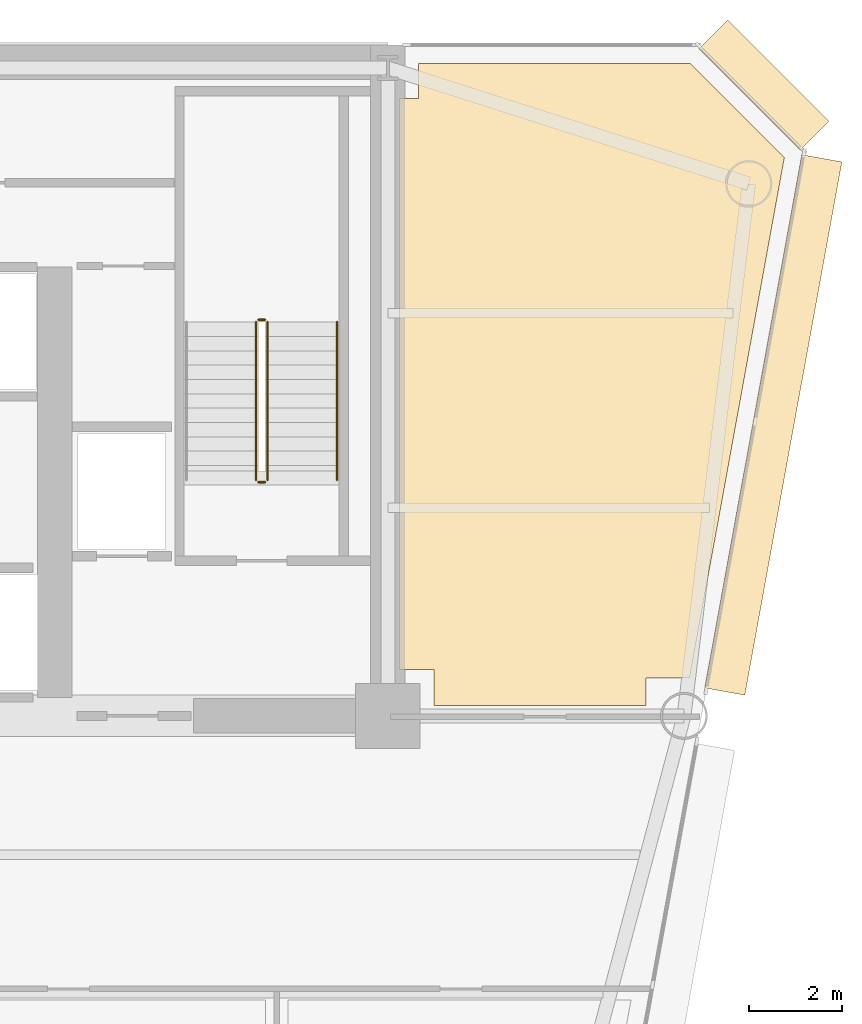
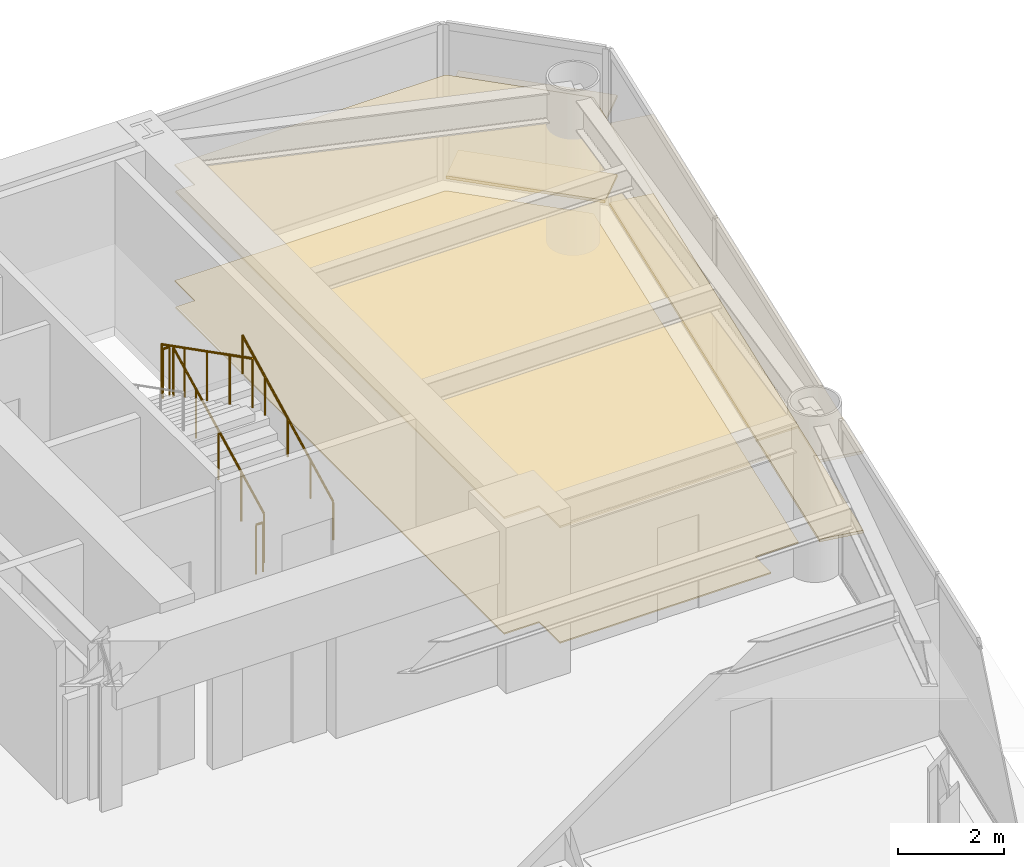
# One storey, part 14 of 14: 6 coverings, 5 railings.
"""IFC4 building model written with IfcOpenShell, lengths in metres."""

import ifcopenshell
import ifcopenshell.guid

model = None  # the IFC model being written
_history = None  # IfcOwnerHistory: only IFC2X3 demands one
_inside = {}  # id of a spatial element -> (the spatial element, [elements in it])
_under = {}  # id of a project, library or spatial element -> (it, [spatial elements below it])
_declared = {}  # id of a project -> (the project, [libraries it declares])
_typed = {}  # id of a type object -> (the type object, [elements of that type])
_made_of = {}  # id of a material, layer set ... -> (it, [elements and type objects made of it])


def new_model(schema):
    """Start an empty IFC model of exactly this schema.

    Asked for "IFC4X3", IfcOpenShell would pick the latest addendum, in which some entities
    have other attributes; the version numbers below select the first issue.
    IFC2X3 requires an IfcOwnerHistory on every rooted entity: one is made here for all.
    """
    global model, _history
    if schema == "IFC4X3":
        model = ifcopenshell.file(schema_version=(4, 3, 0, 0))
    else:
        model = ifcopenshell.file(schema=schema)
    _inside.clear()
    _under.clear()
    _declared.clear()
    _typed.clear()
    _made_of.clear()
    _history = None
    if model.schema == "IFC2X3":
        org = make("IfcOrganization", Name="unknown")
        user = make(
            "IfcPersonAndOrganization",
            ThePerson=make("IfcPerson", FamilyName="unknown"),
            TheOrganization=org,
        )
        app = make(
            "IfcApplication",
            ApplicationDeveloper=org,
            Version="unknown",
            ApplicationFullName="unknown",
            ApplicationIdentifier="unknown",
        )
        _history = make(
            "IfcOwnerHistory",
            OwningUser=user,
            OwningApplication=app,
            ChangeAction="ADDED",
            CreationDate=0,
        )
    return model


def make(cls, **values):
    """One entity of the class cls with the attributes given. An attribute that is None is left unset."""
    return model.create_entity(
        cls, **{name: value for name, value in values.items() if value is not None}
    )


def rooted(cls, **values):
    """An entity with a GlobalId (a new one), such as an element, a storey or a relation."""
    return make(cls, GlobalId=ifcopenshell.guid.new(), OwnerHistory=_history, **values)


def si_unit(unit_type, name, prefix=None):
    """IfcSIUnit, for example si_unit("LENGTHUNIT", "METRE", prefix="MILLI")."""
    return make("IfcSIUnit", UnitType=unit_type, Prefix=prefix, Name=name)


def assignment(units):
    """IfcUnitAssignment: the units of a project."""
    return None if units is None else make("IfcUnitAssignment", Units=units)


def point(xyz):
    """IfcCartesianPoint."""
    return None if xyz is None else make("IfcCartesianPoint", Coordinates=xyz)


def direction(xyz):
    """IfcDirection."""
    return None if xyz is None else make("IfcDirection", DirectionRatios=xyz)


def frame(location, z_axis=None, x_axis=None):
    """IfcAxis2Placement3D, a coordinate frame: its origin and axes. An axis left out is left unset."""
    return make(
        "IfcAxis2Placement3D",
        Location=point(location),
        Axis=direction(z_axis),
        RefDirection=direction(x_axis),
    )


def frame_2d(location, x_axis=None):
    """IfcAxis2Placement2D, a coordinate frame in the plane: its origin and x axis."""
    return make(
        "IfcAxis2Placement2D", Location=point(location), RefDirection=direction(x_axis)
    )


def origin():
    """The frame at (0, 0, 0) with its axes left unset."""
    return frame((0.0, 0.0, 0.0))


def origin_2d():
    """The frame at (0, 0) in the plane with its x axis left unset."""
    return frame_2d((0.0, 0.0))


def place(relative_to, where):
    """IfcLocalPlacement: puts the frame where relative to a parent placement (None: the world)."""
    return make(
        "IfcLocalPlacement", PlacementRelTo=relative_to, RelativePlacement=where
    )


def context(
    kind, dimensions, precision=None, world=None, true_north=None, identifier=None
):
    """IfcGeometricRepresentationContext, for example the 3D "Model" context."""
    return make(
        "IfcGeometricRepresentationContext",
        ContextIdentifier=identifier,
        ContextType=kind,
        CoordinateSpaceDimension=dimensions,
        Precision=precision,
        WorldCoordinateSystem=world,
        TrueNorth=true_north,
    )


def subcontext(parent, identifier, kind, view, scale=None):
    """IfcGeometricRepresentationSubContext, for example "Body" below "Model"."""
    return make(
        "IfcGeometricRepresentationSubContext",
        ContextIdentifier=identifier,
        ContextType=kind,
        ParentContext=parent,
        TargetScale=scale,
        TargetView=view,
    )


def project(units=None, contexts=None):
    """IfcProject with its units and contexts."""
    return rooted(
        "IfcProject",
        Name="project",
        RepresentationContexts=contexts,
        UnitsInContext=assignment(units),
    )


def spatial(cls, under=None, at=None, **own):
    """A site, building, storey or space (cls), placed at a placement, below another one or the project."""
    s = rooted(cls, ObjectPlacement=at, **own)
    if under is not None:
        _under.setdefault(under.id(), (under, []))[1].append(s)
    return s


def polyline(points):
    """IfcPolyline through the points."""
    return make("IfcPolyline", Points=[point(p) for p in points])


def profile(cls, at=None, kind="AREA", **sizes):
    """A parametric profile (cls). Its sizes go by their IFC names, for example OverallWidth=200.0."""
    return make(cls, ProfileType=kind, Position=at, **sizes)


def rectangle(**sizes):
    """IfcRectangleProfileDef."""
    return profile("IfcRectangleProfileDef", **sizes)


def circle(**sizes):
    """IfcCircleProfileDef."""
    return profile("IfcCircleProfileDef", **sizes)


def outline(outer, holes=None, kind="AREA"):
    """IfcArbitraryClosedProfileDef: a profile drawn as a closed curve; with holes, ...WithVoids."""
    if holes is None:
        return make("IfcArbitraryClosedProfileDef", ProfileType=kind, OuterCurve=outer)
    return make(
        "IfcArbitraryProfileDefWithVoids",
        ProfileType=kind,
        OuterCurve=outer,
        InnerCurves=holes,
    )


def extrude(swept, where, along, depth):
    """IfcExtrudedAreaSolid: the profile swept, set in the frame where, extruded along a direction by depth."""
    return make(
        "IfcExtrudedAreaSolid",
        SweptArea=swept,
        Position=where,
        ExtrudedDirection=direction(along),
        Depth=depth,
    )


def shape(context_of_items, identifier, shape_type, items):
    """IfcShapeRepresentation: the items that make up one representation, for example the "Body"."""
    return make(
        "IfcShapeRepresentation",
        ContextOfItems=context_of_items,
        RepresentationIdentifier=identifier,
        RepresentationType=shape_type,
        Items=items,
    )


def source(mapping_origin, context_of_items, identifier, shape_type, items):
    """IfcRepresentationMap: a shape defined once, which mapped items show again and again."""
    return make(
        "IfcRepresentationMap",
        MappingOrigin=mapping_origin,
        MappedRepresentation=shape(context_of_items, identifier, shape_type, items),
    )


def transform(
    local_origin,
    x_axis=None,
    y_axis=None,
    z_axis=None,
    scale=None,
    scale2=None,
    scale3=None,
    uniform=True,
):
    """IfcCartesianTransformationOperator3D, or its non-uniform kind. x_axis, y_axis, z_axis: its Axis1, 2, 3."""
    if uniform:
        return make(
            "IfcCartesianTransformationOperator3D",
            Axis1=direction(x_axis),
            Axis2=direction(y_axis),
            LocalOrigin=point(local_origin),
            Scale=scale,
            Axis3=direction(z_axis),
        )
    return make(
        "IfcCartesianTransformationOperator3DnonUniform",
        Axis1=direction(x_axis),
        Axis2=direction(y_axis),
        LocalOrigin=point(local_origin),
        Scale=scale,
        Axis3=direction(z_axis),
        Scale2=scale2,
        Scale3=scale3,
    )


def mapped(mapping_source, mapping_target):
    """IfcMappedItem: shows the shape of a source again, moved by a transform."""
    return make(
        "IfcMappedItem", MappingSource=mapping_source, MappingTarget=mapping_target
    )


def material(Name=None, Category=None):
    """IfcMaterial."""
    return make("IfcMaterial", Name=Name, Category=Category)


def layer(
    of_material, thickness, ventilated=None, Name=None, Category=None, Priority=None
):
    """IfcMaterialLayer: one layer of a wall or slab, of a material (None: an air gap)."""
    return make(
        "IfcMaterialLayer",
        Material=of_material,
        LayerThickness=thickness,
        IsVentilated=ventilated,
        Name=Name,
        Category=Category,
        Priority=Priority,
    )


def layer_set(layers, Name=None):
    """IfcMaterialLayerSet."""
    return make("IfcMaterialLayerSet", MaterialLayers=layers, LayerSetName=Name)


def made_of(thing, what):
    """Note that an element or type object is made of a material, layer set ...; save() writes the relation."""
    if what is not None:
        _made_of.setdefault(what.id(), (what, []))[1].append(thing)
    return thing


def type_object(cls, material=None, **own):
    """A type object (cls), such as IfcWallType, which elements share."""
    return made_of(rooted(cls, **own), material)


def element(
    cls,
    number,
    at=None,
    inside=None,
    cuts=None,
    type_object=None,
    material=None,
    context=None,
    identifier="Body",
    shape_type=None,
    held_by="IfcProductDefinitionShape",
    body=None,
    shapes=None,
    **own,
):
    """One element of the class cls, such as IfcWall. Its Tag is "e" and its number.

    at: its placement. inside: the storey or other place that contains it. cuts: it is an
    opening in that element (IfcRelVoidsElement). A single representation is given by context,
    identifier, shape_type and body (its items); several are given by shapes. held_by: the class
    of the entity that holds the representations. save() writes the other relations.
    """
    e = rooted(cls, Tag="e%d" % number, ObjectPlacement=at, **own)
    if body is not None:
        shapes = [shape(context, identifier, shape_type, body)]
    if shapes is not None:
        e.Representation = make(held_by, Representations=shapes)
    if inside is not None:
        _inside.setdefault(inside.id(), (inside, []))[1].append(e)
    if cuts is not None:
        rooted(
            "IfcRelVoidsElement", RelatingBuildingElement=cuts, RelatedOpeningElement=e
        )
    if type_object is not None:
        _typed.setdefault(type_object.id(), (type_object, []))[1].append(e)
    return made_of(e, material)


def aggregate(whole, parts):
    """IfcRelAggregates: a whole, such as a stair, and the parts it consists of."""
    return rooted("IfcRelAggregates", RelatingObject=whole, RelatedObjects=parts)


def save(model, path):
    """Write the relations noted so far, then the file.

    IfcRelAggregates (storeys below a building ...), IfcRelContainedInSpatialStructure (elements
    in a storey), IfcRelDefinesByType, IfcRelAssociatesMaterial and IfcRelDeclares: one each for
    every whole, place, type object, material and project.
    """
    for whole, parts in _under.values():
        aggregate(whole, parts)
    for where, things in _inside.values():
        rooted(
            "IfcRelContainedInSpatialStructure",
            RelatedElements=things,
            RelatingStructure=where,
        )
    for kind, things in _typed.values():
        rooted("IfcRelDefinesByType", RelatedObjects=things, RelatingType=kind)
    for what, things in _made_of.values():
        rooted("IfcRelAssociatesMaterial", RelatedObjects=things, RelatingMaterial=what)
    for by, libraries in _declared.values():
        rooted("IfcRelDeclares", RelatingContext=by, RelatedDefinitions=libraries)
    model.write(path)


model = new_model("IFC4")

# Units and contexts
model_context = context("Model", 3, precision=1e-05, world=origin(), true_north=direction((0.0, 1.0)))
body_context = subcontext(model_context, "Body", "Model", "MODEL_VIEW")
ifc_project = project(units=[si_unit("LENGTHUNIT", "METRE"), si_unit("AREAUNIT", "SQUARE_METRE"), si_unit("VOLUMEUNIT", "CUBIC_METRE"), si_unit("PLANEANGLEUNIT", "RADIAN"), si_unit("MASSUNIT", "GRAM", prefix="KILO")], contexts=[model_context])

# Site, building, storey
site_placement = place(None, origin())
site = spatial("IfcSite", under=ifc_project, at=site_placement, CompositionType="ELEMENT")
building_placement = place(site_placement, origin())
building = spatial("IfcBuilding", under=site, at=building_placement, Name="Vaeldorn Concourse Tower", CompositionType="ELEMENT")
storey_placement = place(building_placement, frame((0.0, 0.0, 114.800048828125)))
storey = spatial("IfcBuildingStorey", under=building, at=storey_placement, Name="L29", CompositionType="ELEMENT", Elevation=114.800048828125)

# Coverings
ifc_material_1 = material(Name="Acoustic Mineral Fibre Board", Category="gypsum")
ifc_layer_1 = layer(ifc_material_1, 0.0400390625)
ifc_layer_set_1 = layer_set([ifc_layer_1], Name="Acoustic Mineral Fibre Board")
covering_type_1 = type_object("IfcCoveringType", Name="COV-CEIL-ACOUSTIC", PredefinedType="CEILING", material=ifc_layer_set_1)
covering_1_placement = place(storey_placement, frame((0.0, 0.0, 2.64990234375)))
element("IfcCovering", 1, at=covering_1_placement, inside=storey, type_object=covering_type_1, Name="Suspended Acoustic Ceiling L29-4", PredefinedType="CEILING", context=body_context, shape_type="SweptSolid", body=[
    extrude(outline(polyline([(54.659912109375, 49.840087890625), (54.659912109375, 50.60009765625), (60.5341796875, 50.60009765625), (62.56884765625, 48.5654296875), (60.521484375, 37.320068359375), (59.580078125, 37.320068359375), (59.580078125, 36.719970703125), (55.0, 36.719970703125), (55.0, 37.5), (54.239990234375, 37.5), (54.239990234375, 49.840087890625), (54.659912109375, 49.840087890625)])), origin(), (0.0, 0.0, 1.0), 0.0400390625),
])
ifc_material_2 = material(Name="Honed Limestone Terrazzo Flooring", Category="masonry")
ifc_layer_2 = layer(ifc_material_2, 0.0400390625)
ifc_layer_set_2 = layer_set([ifc_layer_2], Name="Honed Limestone Terrazzo Flooring")
covering_type_2 = type_object("IfcCoveringType", Name="COV-FLOOR-STONE", PredefinedType="FLOORING", material=ifc_layer_set_2)
covering_2_placement = place(storey_placement, origin())
element("IfcCovering", 2, at=covering_2_placement, inside=storey, type_object=covering_type_2, Name="Floor Finish Covering L29-4", PredefinedType="FLOORING", context=body_context, shape_type="SweptSolid", body=[
    extrude(outline(polyline([(54.659912109375, 49.840087890625), (54.659912109375, 50.60009765625), (60.5341796875, 50.60009765625), (62.56884765625, 48.5654296875), (60.521484375, 37.320068359375), (59.580078125, 37.320068359375), (59.580078125, 36.719970703125), (55.0, 36.719970703125), (55.0, 37.5), (54.239990234375, 37.5), (54.239990234375, 49.840087890625), (54.659912109375, 49.840087890625)])), origin(), (0.0, 0.0, 1.0), 0.030029296875),
])

# Railings
ifc_material_3 = material(Name="Anodised Bronze Aluminium", Category="aluminium")
railing_type_1 = type_object("IfcRailingType", Name="RL-STAIR-GUARD", PredefinedType="GUARDRAIL", material=ifc_material_3)
railing_1_placement = place(storey_placement, frame((51.39990234375, 41.60009765625, 0.158203125)))
element("IfcRailing", 3, at=railing_1_placement, inside=storey, type_object=railing_type_1, Name="L29 ST-2 stair guard 1", PredefinedType="GUARDRAIL", context=body_context, shape_type="SweptSolid", body=[
    extrude(circle(Radius=0.02392578125, at=origin_2d()), frame((0.0, 0.0, 1.1259765625), z_axis=(0.0, 0.890555807335, 0.454873997962), x_axis=(-1.0, 0.0, 0.0)), (0.0, 0.0, 1.0), 3.828857421875),
    extrude(circle(Radius=0.02099609375, at=origin_2d()), origin(), (0.0, 0.0, 1.0), 1.101806640625),
    extrude(circle(Radius=0.02099609375, at=origin_2d()), frame((0.0, 0.8525390625, 0.435546875)), (0.0, 0.0, 1.0), 1.101806640625),
    extrude(circle(Radius=0.02099609375, at=origin_2d()), frame((0.0, 1.705078125, 0.870849609375)), (0.0, 0.0, 1.0), 1.101806640625),
    extrude(circle(Radius=0.02099609375, at=origin_2d()), frame((0.0, 2.557373046875, 1.30615234375)), (0.0, 0.0, 1.0), 1.101806640625),
    extrude(circle(Radius=0.02099609375, at=origin_2d()), frame((0.0, 3.409912109375, 1.74169921875)), (0.0, 0.0, 1.0), 1.101806640625),
])
railing_2_placement = place(storey_placement, frame((51.35009765625, 45.06005859375, 1.89990234375)))
element("IfcRailing", 4, at=railing_2_placement, inside=storey, type_object=railing_type_1, Name="L29 ST-2 stair guard 2", PredefinedType="GUARDRAIL", context=body_context, shape_type="SweptSolid", body=[
    extrude(circle(Radius=0.02392578125, at=origin_2d()), frame((0.0, 0.0, 1.1259765625), z_axis=(-1.0, 0.0, 0.0), x_axis=(0.0, -1.0, 0.0)), (0.0, 0.0, 1.0), 0.150146484375),
    extrude(circle(Radius=0.02099609375, at=origin_2d()), origin(), (0.0, 0.0, 1.0), 1.101806640625),
    extrude(circle(Radius=0.02099609375, at=origin_2d()), frame((-0.150146484375, 0.0, 0.0)), (0.0, 0.0, 1.0), 1.101806640625),
])
railing_3_placement = place(storey_placement, frame((51.14990234375, 45.010009765625, 2.058349609375)))
element("IfcRailing", 5, at=railing_3_placement, inside=storey, type_object=railing_type_1, Name="L29 ST-2 stair guard 3", PredefinedType="GUARDRAIL", context=body_context, shape_type="SweptSolid", body=[
    extrude(circle(Radius=0.02392578125, at=origin_2d()), frame((0.0, 0.0, 1.1259765625), z_axis=(0.0, -0.890555807335, 0.454873997962), x_axis=(1.0, 0.0, 0.0)), (0.0, 0.0, 1.0), 3.828857421875),
    extrude(circle(Radius=0.02099609375, at=origin_2d()), origin(), (0.0, 0.0, 1.0), 1.101806640625),
    extrude(circle(Radius=0.02099609375, at=origin_2d()), frame((0.0, -0.8525390625, 0.435546875)), (0.0, 0.0, 1.0), 1.101806640625),
    extrude(circle(Radius=0.02099609375, at=origin_2d()), frame((0.0, -1.705078125, 0.870849609375)), (0.0, 0.0, 1.0), 1.101806640625),
    extrude(circle(Radius=0.02099609375, at=origin_2d()), frame((0.0, -2.557373046875, 1.30615234375)), (0.0, 0.0, 1.0), 1.101806640625),
    extrude(circle(Radius=0.02099609375, at=origin_2d()), frame((0.0, -3.409912109375, 1.74169921875)), (0.0, 0.0, 1.0), 1.101806640625),
])
railing_4_placement = place(storey_placement, frame((51.35009765625, 41.550048828125, 0.0)))
element("IfcRailing", 6, at=railing_4_placement, inside=storey, type_object=railing_type_1, Name="L29 ST-2 stair guard 4", PredefinedType="GUARDRAIL", context=body_context, shape_type="SweptSolid", body=[
    extrude(circle(Radius=0.02392578125, at=origin_2d()), frame((0.0, 0.0, 1.1259765625), z_axis=(-1.0, 0.0, 0.0), x_axis=(0.0, -1.0, 0.0)), (0.0, 0.0, 1.0), 0.150146484375),
    extrude(circle(Radius=0.02099609375, at=origin_2d()), origin(), (0.0, 0.0, 1.0), 1.101806640625),
    extrude(circle(Radius=0.02099609375, at=origin_2d()), frame((-0.150146484375, 0.0, 0.0)), (0.0, 0.0, 1.0), 1.101806640625),
])
railing_type_2 = type_object("IfcRailingType", Name="RL-STAIR-HANDRAIL", PredefinedType="HANDRAIL", material=ifc_material_3)
railing_5_placement = place(storey_placement, frame((52.89990234375, 41.60009765625, 0.158203125)))
element("IfcRailing", 7, at=railing_5_placement, inside=storey, type_object=railing_type_2, Name="L29 ST-2 stair handrail 1", PredefinedType="HANDRAIL", context=body_context, shape_type="SweptSolid", body=[
    extrude(circle(Radius=0.02392578125, at=origin_2d()), frame((0.0, 0.0, 0.8759765625), z_axis=(0.0, 0.890555807335, 0.454873997962), x_axis=(-1.0, 0.0, 0.0)), (0.0, 0.0, 1.0), 3.828857421875),
    extrude(circle(Radius=0.02099609375, at=origin_2d()), origin(), (0.0, 0.0, 1.0), 0.851806640625),
    extrude(circle(Radius=0.02099609375, at=origin_2d()), frame((0.0, 0.8525390625, 0.435546875)), (0.0, 0.0, 1.0), 0.851806640625),
    extrude(circle(Radius=0.02099609375, at=origin_2d()), frame((0.0, 1.705078125, 0.870849609375)), (0.0, 0.0, 1.0), 0.851806640625),
    extrude(circle(Radius=0.02099609375, at=origin_2d()), frame((0.0, 2.557373046875, 1.30615234375)), (0.0, 0.0, 1.0), 0.851806640625),
    extrude(circle(Radius=0.02099609375, at=origin_2d()), frame((0.0, 3.409912109375, 1.74169921875)), (0.0, 0.0, 1.0), 0.851806640625),
])

# Coverings
ifc_layer_3 = layer(ifc_material_3, 0.06494140625)
ifc_layer_set_3 = layer_set([ifc_layer_3], Name="Anodised Bronze Aluminium")
covering_type_3 = type_object("IfcCoveringType", Name="SD-BRONZE-SUNSHADE", PredefinedType="USERDEFINED", material=ifc_layer_set_3)
shared_shape_1 = source(origin(), body_context, "Body", "SweptSolid", [
    extrude(rectangle(XDim=3.0927734375, YDim=0.8798828125, at=origin_2d()), origin(), (0.0, 0.0, 1.0), 0.06494140625),
])
for number, where, z_axis, x_axis, name in (
    (8, (62.1328125, 50.1328125, 0.04736328125), (0.0, 0.0, 1.0), (-0.707106781187, 0.707106781187, 0.0), "Horizontal Bronze Sunshade L29-E08.1.1"),
    (9, (62.1328125, 50.1328125, 1.867431640625), (0.0, 0.0, 1.0), (-0.707106781187, 0.707106781187, 0.0), "Horizontal Bronze Sunshade L29-E08.1.2"),
):
    element("IfcCovering", number, at=place(storey_placement, frame(where, z_axis=z_axis, x_axis=x_axis)), inside=storey, type_object=covering_type_3, Name=name, ObjectType="SUNSHADE", PredefinedType="USERDEFINED", context=body_context, shape_type="MappedRepresentation", body=[
        mapped(shared_shape_1, transform((0.0, 0.0, 0.0), scale=1.0)),
    ])
shared_shape_2 = source(origin(), body_context, "Body", "SweptSolid", [
    extrude(rectangle(XDim=11.714111328125, YDim=0.8798828125, at=origin_2d()), origin(), (0.0, 0.0, 1.0), 0.06494140625),
])
for number, where, z_axis, x_axis, name in (
    (10, (62.330078125, 42.787353515625, 0.04736328125), (0.0, 0.0, 1.0), (0.179111302888, 0.983828817009, 0.0), "Horizontal Bronze Sunshade L29-E07.2.1"),
    (11, (62.330078125, 42.787353515625, 1.867431640625), (0.0, 0.0, 1.0), (0.179111302888, 0.983828817009, 0.0), "Horizontal Bronze Sunshade L29-E07.2.2"),
):
    element("IfcCovering", number, at=place(storey_placement, frame(where, z_axis=z_axis, x_axis=x_axis)), inside=storey, type_object=covering_type_3, Name=name, ObjectType="SUNSHADE", PredefinedType="USERDEFINED", context=body_context, shape_type="MappedRepresentation", body=[
        mapped(shared_shape_2, transform((0.0, 0.0, 0.0), scale=1.0)),
    ])

save(model, "model.ifc")
